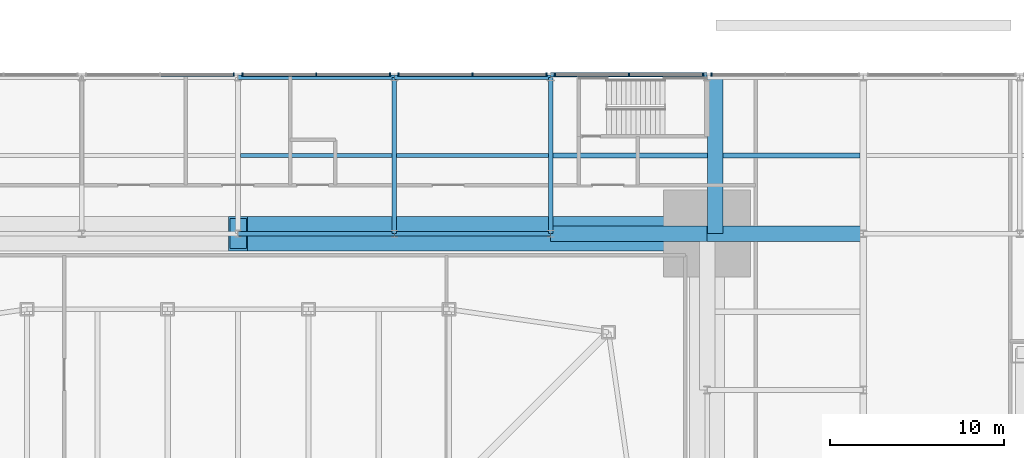
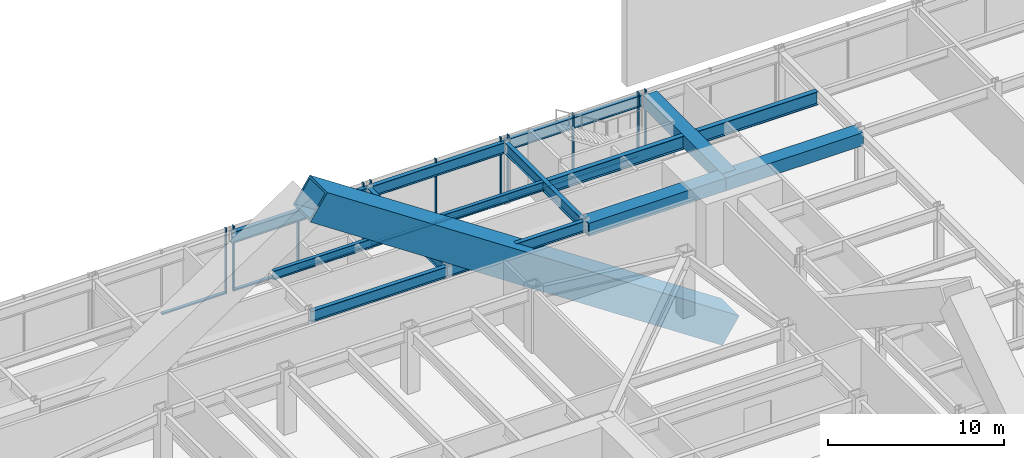
# One storey, part 15 of 32: 19 members, 14 beams, 5 elements without a shape of their own.
"""IFC4 building model written with IfcOpenShell, lengths in metres."""

import ifcopenshell
import ifcopenshell.guid

model = None  # the IFC model being written
_history = None  # IfcOwnerHistory: only IFC2X3 demands one
_inside = {}  # id of a spatial element -> (the spatial element, [elements in it])
_under = {}  # id of a project, library or spatial element -> (it, [spatial elements below it])
_declared = {}  # id of a project -> (the project, [libraries it declares])
_typed = {}  # id of a type object -> (the type object, [elements of that type])
_made_of = {}  # id of a material, layer set ... -> (it, [elements and type objects made of it])


def new_model(schema):
    """Start an empty IFC model of exactly this schema.

    Asked for "IFC4X3", IfcOpenShell would pick the latest addendum, in which some entities
    have other attributes; the version numbers below select the first issue.
    IFC2X3 requires an IfcOwnerHistory on every rooted entity: one is made here for all.
    """
    global model, _history
    if schema == "IFC4X3":
        model = ifcopenshell.file(schema_version=(4, 3, 0, 0))
    else:
        model = ifcopenshell.file(schema=schema)
    _inside.clear()
    _under.clear()
    _declared.clear()
    _typed.clear()
    _made_of.clear()
    _history = None
    if model.schema == "IFC2X3":
        org = make("IfcOrganization", Name="unknown")
        user = make(
            "IfcPersonAndOrganization",
            ThePerson=make("IfcPerson", FamilyName="unknown"),
            TheOrganization=org,
        )
        app = make(
            "IfcApplication",
            ApplicationDeveloper=org,
            Version="unknown",
            ApplicationFullName="unknown",
            ApplicationIdentifier="unknown",
        )
        _history = make(
            "IfcOwnerHistory",
            OwningUser=user,
            OwningApplication=app,
            ChangeAction="ADDED",
            CreationDate=0,
        )
    return model


def make(cls, **values):
    """One entity of the class cls with the attributes given. An attribute that is None is left unset."""
    return model.create_entity(
        cls, **{name: value for name, value in values.items() if value is not None}
    )


def rooted(cls, **values):
    """An entity with a GlobalId (a new one), such as an element, a storey or a relation."""
    return make(cls, GlobalId=ifcopenshell.guid.new(), OwnerHistory=_history, **values)


def si_unit(unit_type, name, prefix=None):
    """IfcSIUnit, for example si_unit("LENGTHUNIT", "METRE", prefix="MILLI")."""
    return make("IfcSIUnit", UnitType=unit_type, Prefix=prefix, Name=name)


def assignment(units):
    """IfcUnitAssignment: the units of a project."""
    return None if units is None else make("IfcUnitAssignment", Units=units)


def point(xyz):
    """IfcCartesianPoint."""
    return None if xyz is None else make("IfcCartesianPoint", Coordinates=xyz)


def direction(xyz):
    """IfcDirection."""
    return None if xyz is None else make("IfcDirection", DirectionRatios=xyz)


def frame(location, z_axis=None, x_axis=None):
    """IfcAxis2Placement3D, a coordinate frame: its origin and axes. An axis left out is left unset."""
    return make(
        "IfcAxis2Placement3D",
        Location=point(location),
        Axis=direction(z_axis),
        RefDirection=direction(x_axis),
    )


def frame_2d(location, x_axis=None):
    """IfcAxis2Placement2D, a coordinate frame in the plane: its origin and x axis."""
    return make(
        "IfcAxis2Placement2D", Location=point(location), RefDirection=direction(x_axis)
    )


def origin():
    """The frame at (0, 0, 0) with its axes left unset."""
    return frame((0.0, 0.0, 0.0))


def origin_2d():
    """The frame at (0, 0) in the plane with its x axis left unset."""
    return frame_2d((0.0, 0.0))


def place(relative_to, where):
    """IfcLocalPlacement: puts the frame where relative to a parent placement (None: the world)."""
    return make(
        "IfcLocalPlacement", PlacementRelTo=relative_to, RelativePlacement=where
    )


def context(
    kind, dimensions, precision=None, world=None, true_north=None, identifier=None
):
    """IfcGeometricRepresentationContext, for example the 3D "Model" context."""
    return make(
        "IfcGeometricRepresentationContext",
        ContextIdentifier=identifier,
        ContextType=kind,
        CoordinateSpaceDimension=dimensions,
        Precision=precision,
        WorldCoordinateSystem=world,
        TrueNorth=true_north,
    )


def subcontext(parent, identifier, kind, view, scale=None):
    """IfcGeometricRepresentationSubContext, for example "Body" below "Model"."""
    return make(
        "IfcGeometricRepresentationSubContext",
        ContextIdentifier=identifier,
        ContextType=kind,
        ParentContext=parent,
        TargetScale=scale,
        TargetView=view,
    )


def project(units=None, contexts=None):
    """IfcProject with its units and contexts."""
    return rooted(
        "IfcProject",
        Name="project",
        RepresentationContexts=contexts,
        UnitsInContext=assignment(units),
    )


def spatial(cls, under=None, at=None, **own):
    """A site, building, storey or space (cls), placed at a placement, below another one or the project."""
    s = rooted(cls, ObjectPlacement=at, **own)
    if under is not None:
        _under.setdefault(under.id(), (under, []))[1].append(s)
    return s


def profile(cls, at=None, kind="AREA", **sizes):
    """A parametric profile (cls). Its sizes go by their IFC names, for example OverallWidth=200.0."""
    return make(cls, ProfileType=kind, Position=at, **sizes)


def rectangle(**sizes):
    """IfcRectangleProfileDef."""
    return profile("IfcRectangleProfileDef", **sizes)


def hollow_rectangle(**sizes):
    """IfcRectangleHollowProfileDef."""
    return profile("IfcRectangleHollowProfileDef", **sizes)


def i_section(**sizes):
    """IfcIShapeProfileDef."""
    return profile("IfcIShapeProfileDef", **sizes)


def extrude(swept, where, along, depth):
    """IfcExtrudedAreaSolid: the profile swept, set in the frame where, extruded along a direction by depth."""
    return make(
        "IfcExtrudedAreaSolid",
        SweptArea=swept,
        Position=where,
        ExtrudedDirection=direction(along),
        Depth=depth,
    )


def shape(context_of_items, identifier, shape_type, items):
    """IfcShapeRepresentation: the items that make up one representation, for example the "Body"."""
    return make(
        "IfcShapeRepresentation",
        ContextOfItems=context_of_items,
        RepresentationIdentifier=identifier,
        RepresentationType=shape_type,
        Items=items,
    )


def material(Name=None, Category=None):
    """IfcMaterial."""
    return make("IfcMaterial", Name=Name, Category=Category)


def material_profile(
    of_material, cross_section, Name=None, Category=None, Priority=None
):
    """IfcMaterialProfile: a cross section and its material."""
    return make(
        "IfcMaterialProfile",
        Name=Name,
        Material=of_material,
        Profile=cross_section,
        Priority=Priority,
        Category=Category,
    )


def profile_set(profiles, Name=None, composite=None):
    """IfcMaterialProfileSet."""
    return make(
        "IfcMaterialProfileSet",
        Name=Name,
        MaterialProfiles=profiles,
        CompositeProfile=composite,
    )


def made_of(thing, what):
    """Note that an element or type object is made of a material, layer set ...; save() writes the relation."""
    if what is not None:
        _made_of.setdefault(what.id(), (what, []))[1].append(thing)
    return thing


def type_object(cls, material=None, **own):
    """A type object (cls), such as IfcWallType, which elements share."""
    return made_of(rooted(cls, **own), material)


def element(
    cls,
    number,
    at=None,
    inside=None,
    cuts=None,
    type_object=None,
    material=None,
    context=None,
    identifier="Body",
    shape_type=None,
    held_by="IfcProductDefinitionShape",
    body=None,
    shapes=None,
    **own,
):
    """One element of the class cls, such as IfcWall. Its Tag is "e" and its number.

    at: its placement. inside: the storey or other place that contains it. cuts: it is an
    opening in that element (IfcRelVoidsElement). A single representation is given by context,
    identifier, shape_type and body (its items); several are given by shapes. held_by: the class
    of the entity that holds the representations. save() writes the other relations.
    """
    e = rooted(cls, Tag="e%d" % number, ObjectPlacement=at, **own)
    if body is not None:
        shapes = [shape(context, identifier, shape_type, body)]
    if shapes is not None:
        e.Representation = make(held_by, Representations=shapes)
    if inside is not None:
        _inside.setdefault(inside.id(), (inside, []))[1].append(e)
    if cuts is not None:
        rooted(
            "IfcRelVoidsElement", RelatingBuildingElement=cuts, RelatedOpeningElement=e
        )
    if type_object is not None:
        _typed.setdefault(type_object.id(), (type_object, []))[1].append(e)
    return made_of(e, material)


def aggregate(whole, parts):
    """IfcRelAggregates: a whole, such as a stair, and the parts it consists of."""
    return rooted("IfcRelAggregates", RelatingObject=whole, RelatedObjects=parts)


def save(model, path):
    """Write the relations noted so far, then the file.

    IfcRelAggregates (storeys below a building ...), IfcRelContainedInSpatialStructure (elements
    in a storey), IfcRelDefinesByType, IfcRelAssociatesMaterial and IfcRelDeclares: one each for
    every whole, place, type object, material and project.
    """
    for whole, parts in _under.values():
        aggregate(whole, parts)
    for where, things in _inside.values():
        rooted(
            "IfcRelContainedInSpatialStructure",
            RelatedElements=things,
            RelatingStructure=where,
        )
    for kind, things in _typed.values():
        rooted("IfcRelDefinesByType", RelatedObjects=things, RelatingType=kind)
    for what, things in _made_of.values():
        rooted("IfcRelAssociatesMaterial", RelatedObjects=things, RelatingMaterial=what)
    for by, libraries in _declared.values():
        rooted("IfcRelDeclares", RelatingContext=by, RelatedDefinitions=libraries)
    model.write(path)


model = new_model("IFC4")

# Units and contexts
model_context = context("Model", 3, precision=1e-05, world=origin(), true_north=direction((0.0, 1.0)))
body_context = subcontext(model_context, "Body", "Model", "MODEL_VIEW")
ifc_project = project(units=[si_unit("LENGTHUNIT", "METRE"), si_unit("AREAUNIT", "SQUARE_METRE"), si_unit("VOLUMEUNIT", "CUBIC_METRE"), si_unit("PLANEANGLEUNIT", "RADIAN"), si_unit("MASSUNIT", "GRAM", prefix="KILO")], contexts=[model_context])

# Site, building, storey
site_placement = place(None, origin())
site = spatial("IfcSite", under=ifc_project, at=site_placement, CompositionType="ELEMENT")
building_placement = place(site_placement, origin())
building = spatial("IfcBuilding", under=site, at=building_placement, Name="Iwan Alto Co-Living Towers", CompositionType="ELEMENT")
storey_placement = place(building_placement, frame((0.0, 0.0, 6.0)))
storey = spatial("IfcBuildingStorey", under=building, at=storey_placement, Name="L01", CompositionType="ELEMENT", Elevation=6.0)

# Curtain wall, member
ifc_material_1 = material(Name="Bronze aluminium stick frame", Category="aluminium")
curtain_wall_type = type_object("IfcCurtainWallType", Name="CURTAIN WALL CW-E", PredefinedType="NOTDEFINED", material=ifc_material_1)
curtain_wall_1_placement = place(storey_placement, origin())
curtain_wall_1 = element("IfcCurtainWall", 1, at=curtain_wall_1_placement, inside=storey, type_object=curtain_wall_type, Name="Podium curtain wall N L01", PredefinedType="NOTDEFINED")
ifc_material_2 = material(Name="Aluminium 6063-T6 bronze anodised", Category="aluminium")
ifc_material_profile_1 = material_profile(ifc_material_2, rectangle(XDim=0.199951171875, YDim=0.080078125, at=origin_2d()), Name="AL 80X200")
ifc_profile_set_1 = profile_set([ifc_material_profile_1], Name="Aluminium 6063-T6 bronze anodised")
member_type_1 = type_object("IfcMemberType", Name="CW-E MULLION 80X200", PredefinedType="MULLION", material=ifc_profile_set_1)
member_1_placement = place(storey_placement, frame((-0.245849609375, 36.14990234375, 0.0), z_axis=(0.0, 0.0, 1.0), x_axis=(0.0, -1.0, 0.0)))
member_1 = element("IfcMember", 2, at=member_1_placement, type_object=member_type_1, Name="CW-E mullion 1", PredefinedType="MULLION", context=body_context, shape_type="SweptSolid", body=[
    extrude(rectangle(XDim=0.199951171875, YDim=0.080078125, at=origin_2d()), origin(), (0.0, 0.0, 1.0), 4.5),
])

# Curtain wall, members
curtain_wall_2_placement = place(storey_placement, origin())
curtain_wall_2 = element("IfcCurtainWall", 3, at=curtain_wall_2_placement, inside=storey, type_object=curtain_wall_type, Name="Podium curtain wall N L01", PredefinedType="NOTDEFINED")
member_2_placement = place(storey_placement, frame((8.754150390625, 36.14990234375, 0.0), z_axis=(0.0, 0.0, 1.0), x_axis=(0.0, -1.0, 0.0)))
member_2 = element("IfcMember", 4, at=member_2_placement, type_object=member_type_1, Name="CW-E mullion 1", PredefinedType="MULLION", context=body_context, shape_type="SweptSolid", body=[
    extrude(rectangle(XDim=0.199951171875, YDim=0.080078125, at=origin_2d()), origin(), (0.0, 0.0, 1.0), 4.5),
])
member_3_placement = place(storey_placement, frame((4.5, 36.14990234375, 0.0), z_axis=(0.0, 0.0, 1.0), x_axis=(0.0, -1.0, 0.0)))
member_3 = element("IfcMember", 5, at=member_3_placement, type_object=member_type_1, Name="CW-E mullion 2", PredefinedType="MULLION", context=body_context, shape_type="SweptSolid", body=[
    extrude(rectangle(XDim=0.199951171875, YDim=0.080078125, at=origin_2d()), origin(), (0.0, 0.0, 1.0), 4.5),
])
member_4_placement = place(storey_placement, frame((0.245849609375, 36.14990234375, 0.0), z_axis=(0.0, 0.0, 1.0), x_axis=(0.0, -1.0, 0.0)))
member_4 = element("IfcMember", 6, at=member_4_placement, type_object=member_type_1, Name="CW-E mullion 3", PredefinedType="MULLION", context=body_context, shape_type="SweptSolid", body=[
    extrude(rectangle(XDim=0.199951171875, YDim=0.080078125, at=origin_2d()), origin(), (0.0, 0.0, 1.0), 4.5),
])

curtain_wall_3_placement = place(storey_placement, origin())
curtain_wall_3 = element("IfcCurtainWall", 7, at=curtain_wall_3_placement, inside=storey, type_object=curtain_wall_type, Name="Podium curtain wall N L01", PredefinedType="NOTDEFINED")
member_5_placement = place(storey_placement, frame((17.754150390625, 36.14990234375, 0.0), z_axis=(0.0, 0.0, 1.0), x_axis=(0.0, -1.0, 0.0)))
member_5 = element("IfcMember", 8, at=member_5_placement, type_object=member_type_1, Name="CW-E mullion 1", PredefinedType="MULLION", context=body_context, shape_type="SweptSolid", body=[
    extrude(rectangle(XDim=0.199951171875, YDim=0.080078125, at=origin_2d()), origin(), (0.0, 0.0, 1.0), 4.5),
])
member_6_placement = place(storey_placement, frame((13.5, 36.14990234375, 0.0), z_axis=(0.0, 0.0, 1.0), x_axis=(0.0, -1.0, 0.0)))
member_6 = element("IfcMember", 9, at=member_6_placement, type_object=member_type_1, Name="CW-E mullion 2", PredefinedType="MULLION", context=body_context, shape_type="SweptSolid", body=[
    extrude(rectangle(XDim=0.199951171875, YDim=0.080078125, at=origin_2d()), origin(), (0.0, 0.0, 1.0), 4.5),
])
member_7_placement = place(storey_placement, frame((9.245849609375, 36.14990234375, 0.0), z_axis=(0.0, 0.0, 1.0), x_axis=(0.0, -1.0, 0.0)))
member_7 = element("IfcMember", 10, at=member_7_placement, type_object=member_type_1, Name="CW-E mullion 3", PredefinedType="MULLION", context=body_context, shape_type="SweptSolid", body=[
    extrude(rectangle(XDim=0.199951171875, YDim=0.080078125, at=origin_2d()), origin(), (0.0, 0.0, 1.0), 4.5),
])

curtain_wall_4_placement = place(storey_placement, origin())
curtain_wall_4 = element("IfcCurtainWall", 11, at=curtain_wall_4_placement, inside=storey, type_object=curtain_wall_type, Name="Podium curtain wall N L01", PredefinedType="NOTDEFINED")
member_8_placement = place(storey_placement, frame((26.754150390625, 36.14990234375, 0.0), z_axis=(0.0, 0.0, 1.0), x_axis=(0.0, -1.0, 0.0)))
member_8 = element("IfcMember", 12, at=member_8_placement, type_object=member_type_1, Name="CW-E mullion 1", PredefinedType="MULLION", context=body_context, shape_type="SweptSolid", body=[
    extrude(rectangle(XDim=0.199951171875, YDim=0.080078125, at=origin_2d()), origin(), (0.0, 0.0, 1.0), 4.5),
])
member_9_placement = place(storey_placement, frame((22.5, 36.14990234375, 0.0), z_axis=(0.0, 0.0, 1.0), x_axis=(0.0, -1.0, 0.0)))
member_9 = element("IfcMember", 13, at=member_9_placement, type_object=member_type_1, Name="CW-E mullion 2", PredefinedType="MULLION", context=body_context, shape_type="SweptSolid", body=[
    extrude(rectangle(XDim=0.199951171875, YDim=0.080078125, at=origin_2d()), origin(), (0.0, 0.0, 1.0), 4.5),
])
member_10_placement = place(storey_placement, frame((18.245849609375, 36.14990234375, 0.0), z_axis=(0.0, 0.0, 1.0), x_axis=(0.0, -1.0, 0.0)))
member_10 = element("IfcMember", 14, at=member_10_placement, type_object=member_type_1, Name="CW-E mullion 3", PredefinedType="MULLION", context=body_context, shape_type="SweptSolid", body=[
    extrude(rectangle(XDim=0.199951171875, YDim=0.080078125, at=origin_2d()), origin(), (0.0, 0.0, 1.0), 4.5),
])

# Curtain wall, member
curtain_wall_5_placement = place(storey_placement, origin())
curtain_wall_5 = element("IfcCurtainWall", 15, at=curtain_wall_5_placement, inside=storey, type_object=curtain_wall_type, Name="Podium curtain wall N L01", PredefinedType="NOTDEFINED")
member_11_placement = place(storey_placement, frame((27.245849609375, 36.14990234375, 0.0), z_axis=(0.0, 0.0, 1.0), x_axis=(0.0, -1.0, 0.0)))
member_11 = element("IfcMember", 16, at=member_11_placement, type_object=member_type_1, Name="CW-E mullion 3", PredefinedType="MULLION", context=body_context, shape_type="SweptSolid", body=[
    extrude(rectangle(XDim=0.199951171875, YDim=0.080078125, at=origin_2d()), origin(), (0.0, 0.0, 1.0), 4.5),
])
aggregate(curtain_wall_5, [member_11])

# Member
ifc_material_3 = material(Name="Aluminium 6063-T6 bronze anodised", Category="aluminium")
ifc_material_profile_2 = material_profile(ifc_material_3, rectangle(XDim=0.199951171875, YDim=0.10009765625, at=origin_2d()), Name="AL 200X100")
ifc_profile_set_2 = profile_set([ifc_material_profile_2], Name="Aluminium 6063-T6 bronze anodised")
member_type_2 = type_object("IfcMemberType", Name="CW-E TRANSOM 200X100", PredefinedType="USERDEFINED", material=ifc_profile_set_2)
member_12_placement = place(storey_placement, frame((-0.28564453125, 36.14990234375, 0.050048828125), z_axis=(-1.0, 0.0, 0.0), x_axis=(0.0, -1.0, 0.0)))
member_12 = element("IfcMember", 17, at=member_12_placement, type_object=member_type_2, Name="CW-E transom 1.1", ObjectType="TRANSOM", PredefinedType="USERDEFINED", context=body_context, shape_type="SweptSolid", body=[
    extrude(rectangle(XDim=0.199951171875, YDim=0.10009765625, at=origin_2d()), origin(), (0.0, 0.0, 1.0), 4.17431640625),
])

aggregate(curtain_wall_1, [member_1, member_12])

member_13_placement = place(storey_placement, frame((8.71435546875, 36.14990234375, 0.050048828125), z_axis=(-1.0, 0.0, 0.0), x_axis=(0.0, -1.0, 0.0)))
member_13 = element("IfcMember", 18, at=member_13_placement, type_object=member_type_2, Name="CW-E transom 1.1", ObjectType="TRANSOM", PredefinedType="USERDEFINED", context=body_context, shape_type="SweptSolid", body=[
    extrude(rectangle(XDim=0.199951171875, YDim=0.10009765625, at=origin_2d()), origin(), (0.0, 0.0, 1.0), 4.17431640625),
])

member_14_placement = place(storey_placement, frame((4.4599609375, 36.14990234375, 0.050048828125), z_axis=(-1.0, 0.0, 0.0), x_axis=(0.0, -1.0, 0.0)))
member_14 = element("IfcMember", 19, at=member_14_placement, type_object=member_type_2, Name="CW-E transom 2.1", ObjectType="TRANSOM", PredefinedType="USERDEFINED", context=body_context, shape_type="SweptSolid", body=[
    extrude(rectangle(XDim=0.199951171875, YDim=0.10009765625, at=origin_2d()), origin(), (0.0, 0.0, 1.0), 4.17431640625),
])

aggregate(curtain_wall_2, [member_2, member_3, member_4, member_13, member_14])

member_15_placement = place(storey_placement, frame((17.71435546875, 36.14990234375, 0.050048828125), z_axis=(-1.0, 0.0, 0.0), x_axis=(0.0, -1.0, 0.0)))
member_15 = element("IfcMember", 20, at=member_15_placement, type_object=member_type_2, Name="CW-E transom 1.1", ObjectType="TRANSOM", PredefinedType="USERDEFINED", context=body_context, shape_type="SweptSolid", body=[
    extrude(rectangle(XDim=0.199951171875, YDim=0.10009765625, at=origin_2d()), origin(), (0.0, 0.0, 1.0), 4.17431640625),
])

member_16_placement = place(storey_placement, frame((13.4599609375, 36.14990234375, 0.050048828125), z_axis=(-1.0, 0.0, 0.0), x_axis=(0.0, -1.0, 0.0)))
member_16 = element("IfcMember", 21, at=member_16_placement, type_object=member_type_2, Name="CW-E transom 2.1", ObjectType="TRANSOM", PredefinedType="USERDEFINED", context=body_context, shape_type="SweptSolid", body=[
    extrude(rectangle(XDim=0.199951171875, YDim=0.10009765625, at=origin_2d()), origin(), (0.0, 0.0, 1.0), 4.17431640625),
])

aggregate(curtain_wall_3, [member_5, member_6, member_7, member_15, member_16])

member_17_placement = place(storey_placement, frame((26.71435546875, 36.14990234375, 0.050048828125), z_axis=(-1.0, 0.0, 0.0), x_axis=(0.0, -1.0, 0.0)))
member_17 = element("IfcMember", 22, at=member_17_placement, type_object=member_type_2, Name="CW-E transom 1.1", ObjectType="TRANSOM", PredefinedType="USERDEFINED", context=body_context, shape_type="SweptSolid", body=[
    extrude(rectangle(XDim=0.199951171875, YDim=0.10009765625, at=origin_2d()), origin(), (0.0, 0.0, 1.0), 4.17431640625),
])

member_18_placement = place(storey_placement, frame((22.4599609375, 36.14990234375, 0.050048828125), z_axis=(-1.0, 0.0, 0.0), x_axis=(0.0, -1.0, 0.0)))
member_18 = element("IfcMember", 23, at=member_18_placement, type_object=member_type_2, Name="CW-E transom 2.1", ObjectType="TRANSOM", PredefinedType="USERDEFINED", context=body_context, shape_type="SweptSolid", body=[
    extrude(rectangle(XDim=0.199951171875, YDim=0.10009765625, at=origin_2d()), origin(), (0.0, 0.0, 1.0), 4.17431640625),
])

aggregate(curtain_wall_4, [member_8, member_9, member_10, member_17, member_18])

# Beams
ifc_material_4 = material(Name="Steel ASTM A992 Gr 50", Category="steel")
ifc_material_profile_3 = material_profile(ifc_material_4, i_section(OverallWidth=0.2666015625, OverallDepth=0.76953125, WebThickness=0.015625, FlangeThickness=0.025390625, at=origin_2d()), Name="W30X132")
ifc_profile_set_3 = profile_set([ifc_material_profile_3], Name="Steel ASTM A992 Gr 50")
beam_type_1 = type_object("IfcBeamType", Name="PODIUM BEAM W30X132", PredefinedType="BEAM", material=ifc_profile_set_3)
for number, where, z_axis, x_axis, name in (
    (24, (0.0, 27.0, 3.865234375), (1.0, 0.0, 0.0), (0.0, 1.0, 0.0), "Podium beam 5/H-6/H L02"),
    (25, (0.0, 36.0, 3.865234375), (1.0, 0.0, 0.0), (0.0, 1.0, 0.0), "Podium beam 5/I-6/I L02"),
    (26, (9.0, 27.0, 3.865234375), (1.0, 0.0, 0.0), (0.0, 1.0, 0.0), "Podium beam 6/H-7/H L02"),
    (27, (9.0, 27.0, 3.865234375), (0.0, 1.0, 0.0), (-1.0, 0.0, 0.0), "Podium beam 6/H-6/I L02"),
    (28, (9.0, 36.0, 3.865234375), (1.0, 0.0, 0.0), (0.0, 1.0, 0.0), "Podium beam 6/I-7/I L02"),
    (29, (18.0, 27.0, 3.865234375), (0.0, 1.0, 0.0), (-1.0, 0.0, 0.0), "Podium beam 7/H-7/I L02"),
    (30, (18.0, 36.1533203125, 3.865234375), (1.0, 0.0, 0.0), (0.0, 1.0, 0.0), "Podium beam 7/I-8/I L02"),
):
    element("IfcBeam", number, at=place(storey_placement, frame(where, z_axis=z_axis, x_axis=x_axis)), inside=storey, type_object=beam_type_1, Name=name, PredefinedType="BEAM", context=body_context, shape_type="SweptSolid", body=[
        extrude(i_section(OverallWidth=0.2666015625, OverallDepth=0.76953125, WebThickness=0.015625, FlangeThickness=0.025390625, at=origin_2d()), origin(), (0.0, 0.0, 1.0), 9.0),
    ])
ifc_material_5 = material(Name="Steel ASTM A992 Gr 50", Category="steel")
ifc_material_profile_4 = material_profile(ifc_material_5, i_section(OverallWidth=0.307373046875, OverallDepth=0.927001953125, WebThickness=0.01953125, FlangeThickness=0.031982421875, at=origin_2d()), Name="W36X194")
ifc_profile_set_4 = profile_set([ifc_material_profile_4], Name="Steel ASTM A992 Gr 50")
beam_type_2 = type_object("IfcBeamType", Name="PODIUM PIER BAY SECONDARY BEAM W36X194", PredefinedType="JOIST", material=ifc_profile_set_4)
beam_1_placement = place(storey_placement, frame((18.13330078125, 31.5, 3.786376953125), z_axis=(1.0, 0.0, 0.0), x_axis=(0.0, 1.0, 0.0)))
element("IfcBeam", 31, at=beam_1_placement, inside=storey, type_object=beam_type_2, Name="Podium secondary beam 7/H L02", PredefinedType="JOIST", context=body_context, shape_type="SweptSolid", body=[
    extrude(i_section(OverallWidth=0.307373046875, OverallDepth=0.927001953125, WebThickness=0.01953125, FlangeThickness=0.031982421875, at=origin_2d()), origin(), (0.0, 0.0, 1.0), 8.88671875),
])
beam_2_placement = place(storey_placement, frame((27.919921875, 31.5, 3.786376953125), z_axis=(1.0, 0.0, 0.0), x_axis=(0.0, 1.0, 0.0)))
element("IfcBeam", 32, at=beam_2_placement, inside=storey, type_object=beam_type_2, Name="Podium secondary beam 8/H L02", PredefinedType="JOIST", context=body_context, shape_type="SweptSolid", body=[
    extrude(i_section(OverallWidth=0.307373046875, OverallDepth=0.927001953125, WebThickness=0.01953125, FlangeThickness=0.031982421875, at=origin_2d()), origin(), (0.0, 0.0, 1.0), 7.8896484375),
])
ifc_material_6 = material(Name="Steel ASTM A572 Gr 50", Category="steel")
ifc_material_profile_5 = material_profile(ifc_material_6, hollow_rectangle(XDim=0.89990234375, YDim=0.89990234375, WallThickness=0.06005859375, at=origin_2d()), Name="BOX 900X900X60")
ifc_profile_set_5 = profile_set([ifc_material_profile_5], Name="Steel ASTM A572 Gr 50")
beam_type_3 = type_object("IfcBeamType", Name="PODIUM PIER BEAM BOX 900X900X60", PredefinedType="BEAM", material=ifc_profile_set_5)
for number, where, z_axis, x_axis, name in (
    (33, (18.0, 27.0, 3.800048828125), (1.0, 0.0, 0.0), (0.0, 1.0, 0.0), "Podium beam 7/H-8/H L02"),
    (34, (27.0, 27.0, 3.800048828125), (1.0, 0.0, 0.0), (0.0, 1.0, 0.0), "Podium beam 8/H-9/H L02"),
    (35, (27.469970703125, 27.0, 3.800048828125), (0.0, 1.0, 0.0), (-1.0, 0.0, 0.0), "Podium beam 8/H-8/I L02"),
):
    element("IfcBeam", number, at=place(storey_placement, frame(where, z_axis=z_axis, x_axis=x_axis)), inside=storey, type_object=beam_type_3, Name=name, PredefinedType="BEAM", context=body_context, shape_type="SweptSolid", body=[
        extrude(hollow_rectangle(XDim=0.89990234375, YDim=0.89990234375, WallThickness=0.06005859375, at=origin_2d()), origin(), (0.0, 0.0, 1.0), 9.0),
    ])
ifc_material_7 = material(Name="Steel ASTM A992 Gr 50", Category="steel")
ifc_material_profile_6 = material_profile(ifc_material_7, i_section(OverallWidth=0.23046875, OverallDepth=0.6171875, WebThickness=0.01318359375, FlangeThickness=0.022216796875, at=origin_2d()), Name="W24X94")
ifc_profile_set_6 = profile_set([ifc_material_profile_6], Name="Steel ASTM A992 Gr 50")
beam_type_4 = type_object("IfcBeamType", Name="PODIUM SECONDARY BEAM W24X94", PredefinedType="JOIST", material=ifc_profile_set_6)
for number, where, z_axis, x_axis, name in (
    (36, (0.13330078125, 31.5, 3.94140625), (1.0, 0.0, 0.0), (0.0, 1.0, 0.0), "Podium secondary beam 5/H L02"),
    (37, (9.13330078125, 31.5, 3.94140625), (1.0, 0.0, 0.0), (0.0, 1.0, 0.0), "Podium secondary beam 6/H L02"),
):
    element("IfcBeam", number, at=place(storey_placement, frame(where, z_axis=z_axis, x_axis=x_axis)), inside=storey, type_object=beam_type_4, Name=name, PredefinedType="JOIST", context=body_context, shape_type="SweptSolid", body=[
        extrude(i_section(OverallWidth=0.23046875, OverallDepth=0.6171875, WebThickness=0.01318359375, FlangeThickness=0.022216796875, at=origin_2d()), origin(), (0.0, 0.0, 1.0), 8.7333984375),
    ])

# Member
ifc_material_8 = material(Name="Steel ASTM A572 Gr 42", Category="steel")
ifc_material_profile_7 = material_profile(ifc_material_8, hollow_rectangle(XDim=2.0, YDim=2.0, WallThickness=0.139892578125, at=origin_2d()), Name="BOX 2000X2000X140")
ifc_profile_set_7 = profile_set([ifc_material_profile_7], Name="Steel ASTM A572 Gr 42")
member_type_3 = type_object("IfcMemberType", Name="T1 MEGA BRACE BOX 2000X2000X140", PredefinedType="BRACE", material=ifc_profile_set_7)
member_19_placement = place(storey_placement, frame((27.0, 27.0, -6.0), z_axis=(-0.832050294338, 0.0, 0.554700196225), x_axis=(0.0, -1.0, 0.0)))
element("IfcMember", 38, at=member_19_placement, inside=storey, type_object=member_type_3, Name="T1 mega brace Z1A N 1 lower", PredefinedType="BRACE", context=body_context, shape_type="SweptSolid", body=[
    extrude(hollow_rectangle(XDim=2.0, YDim=2.0, WallThickness=0.139892578125, at=origin_2d()), origin(), (0.0, 0.0, 1.0), 32.449951171875),
])

save(model, "model.ifc")
